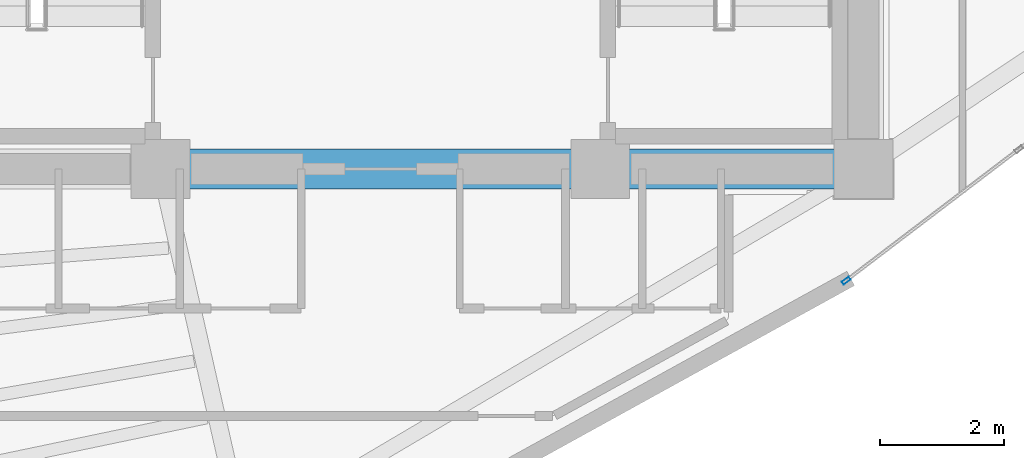
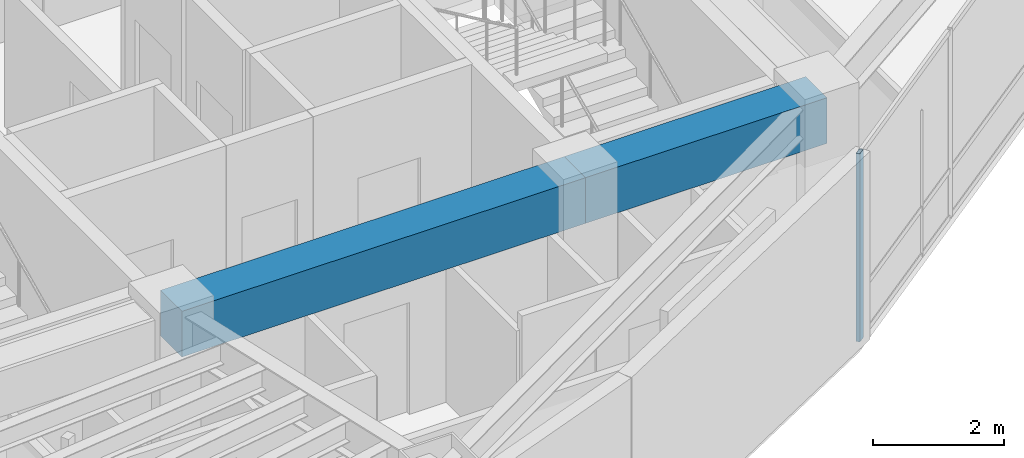
# One storey, part 4 of 15: 2 beams, 1 member, 1 element without a shape of its own.
"""IFC4 building model written with IfcOpenShell, lengths in metres."""

from ifc_helpers import new_model, si_unit, direction, frame, origin, origin_2d, place, context, subcontext, project, spatial, rectangle, hollow_rectangle, extrude, material, layer, layer_set, material_profile, profile_set, type_object, element, aggregate, save


model = new_model("IFC4")

# Units and contexts
model_context = context("Model", 3, precision=1e-05, world=origin(), true_north=direction((0.0, 1.0)))
body_context = subcontext(model_context, "Body", "Model", "MODEL_VIEW")
ifc_project = project(units=[si_unit("LENGTHUNIT", "METRE"), si_unit("AREAUNIT", "SQUARE_METRE"), si_unit("VOLUMEUNIT", "CUBIC_METRE"), si_unit("PLANEANGLEUNIT", "RADIAN"), si_unit("MASSUNIT", "GRAM", prefix="KILO")], contexts=[model_context])

# Site, building, storey
site_placement = place(None, origin())
site = spatial("IfcSite", under=ifc_project, at=site_placement, CompositionType="ELEMENT")
building_placement = place(site_placement, origin())
building = spatial("IfcBuilding", under=site, at=building_placement, Name="Menara Vayukalpa", CompositionType="ELEMENT")
storey_placement = place(building_placement, frame((0.0, 0.0, 180.360107421875)))
storey = spatial("IfcBuildingStorey", under=building, at=storey_placement, Name="L45", CompositionType="ELEMENT", Elevation=180.360107421875)

# Beams
ifc_material_1 = material(Name="Concrete C60/75", Category="concrete")
ifc_material_profile_1 = material_profile(ifc_material_1, rectangle(XDim=0.64990234375, YDim=0.85009765625, at=origin_2d()), Name="RC 650x850")
ifc_profile_set_1 = profile_set([ifc_material_profile_1], Name="Concrete C60/75")
beam_type = type_object("IfcBeamType", Name="BM-CB1", PredefinedType="BEAM", material=ifc_profile_set_1)
beam_1_placement = place(storey_placement, frame((22.050048828125, 17.199951171875, 3.074951171875), z_axis=(1.0, 0.0, 0.0), x_axis=(0.0, 1.0, 0.0)))
element("IfcBeam", 1, at=beam_1_placement, inside=storey, type_object=beam_type, Name="L45 Core Tie Beam CBR2", PredefinedType="BEAM", context=body_context, shape_type="SweptSolid", body=[
    extrude(rectangle(XDim=0.64990234375, YDim=0.85009765625, at=origin_2d()), origin(), (0.0, 0.0, 1.0), 7.099853515625),
])
beam_2_placement = place(storey_placement, frame((29.14990234375, 17.199951171875, 3.074951171875), z_axis=(1.0, 0.0, 0.0), x_axis=(0.0, 1.0, 0.0)))
element("IfcBeam", 2, at=beam_2_placement, inside=storey, type_object=beam_type, Name="L45 Core Tie Beam CBR3", PredefinedType="BEAM", context=body_context, shape_type="SweptSolid", body=[
    extrude(rectangle(XDim=0.64990234375, YDim=0.85009765625, at=origin_2d()), origin(), (0.0, 0.0, 1.0), 4.25),
])

# Curtain wall, member
ifc_material_2 = material(Name="Anodised Terracotta Aluminium Alloy 6063-T6", Category="masonry")
ifc_layer = layer(ifc_material_2, 0.139892578125)
ifc_layer_set = layer_set([ifc_layer], Name="Anodised Terracotta Aluminium Alloy 6063-T6")
curtain_wall_type = type_object("IfcCurtainWallType", Name="CW-CW5", PredefinedType="USERDEFINED", material=ifc_layer_set)
curtain_wall_placement = place(storey_placement, origin())
curtain_wall = element("IfcCurtainWall", 3, at=curtain_wall_placement, inside=storey, type_object=curtain_wall_type, Name="L45 High Rise Tapered Curtain Wall CW5 19", ObjectType="UNITISED", PredefinedType="USERDEFINED")
ifc_material_3 = material(Name="Anodised Terracotta Aluminium Alloy 6063-T6", Category="masonry")
ifc_material_profile_2 = material_profile(ifc_material_3, hollow_rectangle(XDim=0.06005859375, YDim=0.139892578125, WallThickness=0.00341796875, at=origin_2d()), Name="ALU 60x140x3.5")
ifc_profile_set_2 = profile_set([ifc_material_profile_2], Name="Anodised Terracotta Aluminium Alloy 6063-T6")
member_type = type_object("IfcMemberType", Name="CWM-CW5", PredefinedType="MULLION", material=ifc_profile_set_2)
member_placement = place(storey_placement, frame((33.1220703125, 15.396728515625, 0.0), z_axis=(0.0, 0.0, 1.0), x_axis=(-0.60554034445, 0.795814608589, 0.0)))
member = element("IfcMember", 4, at=member_placement, type_object=member_type, Name="CW5 mullion 1", PredefinedType="MULLION", context=body_context, shape_type="SweptSolid", body=[
    extrude(hollow_rectangle(XDim=0.06005859375, YDim=0.139892578125, WallThickness=0.00341796875, at=origin_2d()), origin(), (0.0, 0.0, 1.0), 3.5),
])
aggregate(curtain_wall, [member])

save(model, "model.ifc")
